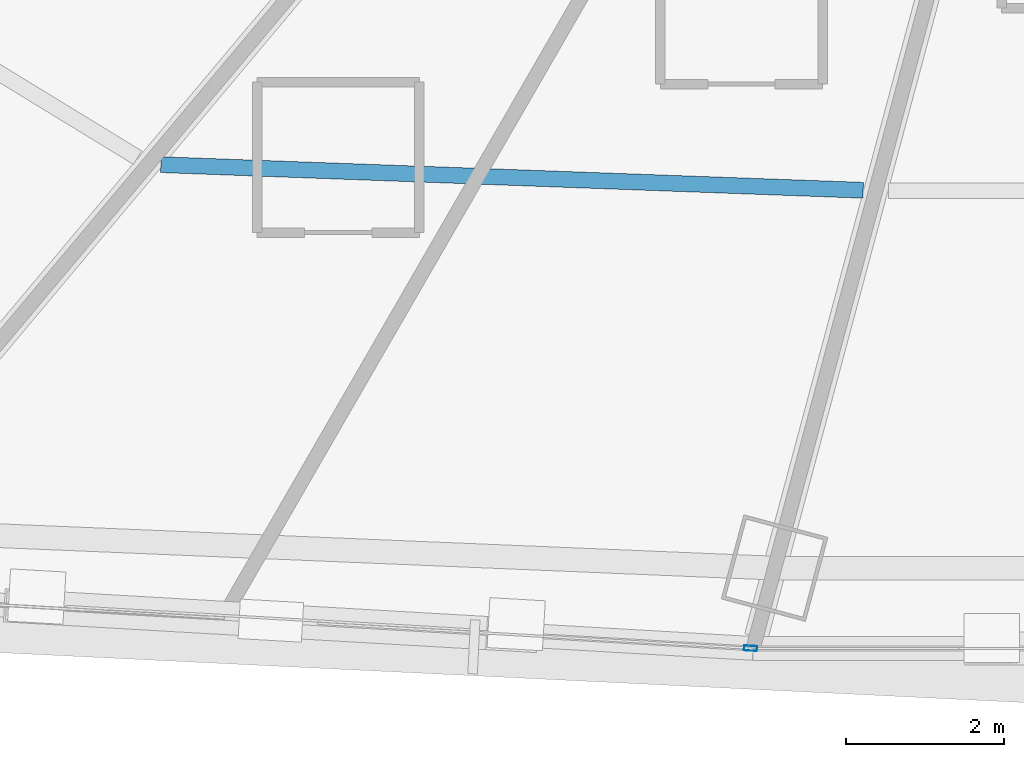
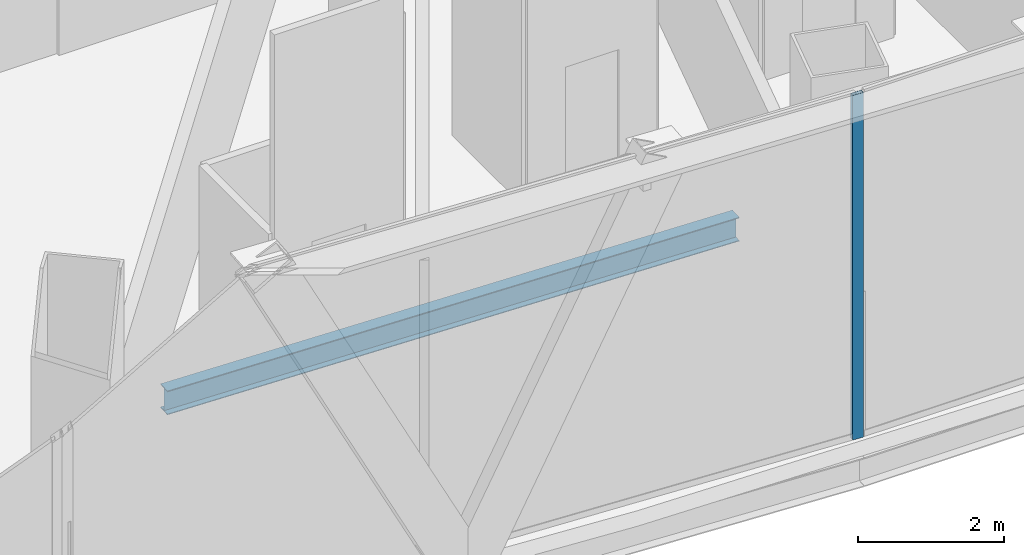
# One storey, part 8 of 41: 1 beam, 1 member, 1 element without a shape of its own.
"""IFC4 building model written with IfcOpenShell, lengths in metres."""

from ifc_helpers import new_model, si_unit, direction, frame, origin, origin_2d, place, context, subcontext, project, spatial, hollow_rectangle, i_section, extrude, source, transform, mapped, material, layer, layer_set, material_profile, profile_set, type_object, element, aggregate, save


model = new_model("IFC4")

# Units and contexts
model_context = context("Model", 3, precision=1e-05, world=origin(), true_north=direction((0.0, 1.0)))
body_context = subcontext(model_context, "Body", "Model", "MODEL_VIEW")
ifc_project = project(units=[si_unit("LENGTHUNIT", "METRE"), si_unit("AREAUNIT", "SQUARE_METRE"), si_unit("VOLUMEUNIT", "CUBIC_METRE"), si_unit("PLANEANGLEUNIT", "RADIAN"), si_unit("MASSUNIT", "GRAM", prefix="KILO"), si_unit("THERMODYNAMICTEMPERATUREUNIT", "KELVIN"), si_unit("POWERUNIT", "WATT")], contexts=[model_context])

# Site, building, storey
site_placement = place(None, origin())
site = spatial("IfcSite", under=ifc_project, at=site_placement, CompositionType="ELEMENT")
building_placement = place(site_placement, origin())
building = spatial("IfcBuilding", under=site, at=building_placement, Name="Yunzhuo Pagoda Commons", CompositionType="ELEMENT")
storey_placement = place(building_placement, frame((0.0, 0.0, 70.330078125)))
storey = spatial("IfcBuildingStorey", under=building, at=storey_placement, Name="L18", CompositionType="ELEMENT", Elevation=70.330078125)

# Beam
ifc_material_1 = material(Name="Structural steel Q355B", Category="steel")
ifc_material_profile_1 = material_profile(ifc_material_1, i_section(OverallWidth=0.199951171875, OverallDepth=0.39990234375, WebThickness=0.008056640625, FlangeThickness=0.012939453125, at=origin_2d()), Name="Structural steel Q355B")
ifc_profile_set_1 = profile_set([ifc_material_profile_1], Name="Structural steel Q355B")
beam_type = type_object("IfcBeamType", Name="B-JS1 Joist HN 400x200x8x13", PredefinedType="JOIST", material=ifc_profile_set_1)
shared_shape_1 = source(origin(), body_context, "Body", "SweptSolid", [
    extrude(i_section(OverallWidth=0.199951171875, OverallDepth=0.39990234375, WebThickness=0.008056640625, FlangeThickness=0.012939453125, at=origin_2d()), origin(), (0.0, 0.0, 1.0), 8.876953125),
])
beam_placement = place(storey_placement, frame((34.527099609375, 17.448486328125, -0.4599609375), z_axis=(0.999335806416, -0.036440993601, 0.0), x_axis=(0.036440993601, 0.999335806416, 0.0)))
element("IfcBeam", 1, at=beam_placement, inside=storey, type_object=beam_type, Name="L18 composite ring joist 2.1", PredefinedType="JOIST", context=body_context, shape_type="MappedRepresentation", body=[
    mapped(shared_shape_1, transform((0.0, 0.0, 0.0), scale=1.0)),
])

# Curtain wall, member
ifc_material_2 = material(Name="Anodized aluminium 6063-T6", Category="aluminium")
ifc_layer = layer(ifc_material_2, 0.1650390625)
ifc_layer_set = layer_set([ifc_layer], Name="Anodized aluminium 6063-T6")
curtain_wall_type = type_object("IfcCurtainWallType", Name="CW-LOW Low-Zone Ribbon Curtain Wall", PredefinedType="NOTDEFINED", material=ifc_layer_set)
curtain_wall_placement = place(storey_placement, origin())
curtain_wall = element("IfcCurtainWall", 2, at=curtain_wall_placement, inside=storey, type_object=curtain_wall_type, Name="L18 curtain wall CW-L18-F1B2", PredefinedType="NOTDEFINED")
ifc_material_profile_2 = material_profile(ifc_material_2, hollow_rectangle(XDim=0.06494140625, YDim=0.1650390625, WallThickness=0.00390625, at=origin_2d()), Name="Anodized aluminium 6063-T6")
ifc_profile_set_2 = profile_set([ifc_material_profile_2], Name="Anodized aluminium 6063-T6")
member_type = type_object("IfcMemberType", Name="CW-LOW-M Mullion RHS 165x65x4", PredefinedType="MULLION", material=ifc_profile_set_2)
shared_shape_2 = source(origin(), body_context, "Body", "SweptSolid", [
    extrude(hollow_rectangle(XDim=0.06494140625, YDim=0.1650390625, WallThickness=0.00390625, at=origin_2d()), origin(), (0.0, 0.0, 1.0), 5.77001953125),
])
member_placement = place(storey_placement, frame((41.9755859375, 11.339599609375, 0.0), z_axis=(0.0, 0.0, 1.0), x_axis=(0.057542190557, 0.998343075454, 0.0)))
member = element("IfcMember", 3, at=member_placement, type_object=member_type, Name="CW mullion 2", PredefinedType="MULLION", context=body_context, shape_type="MappedRepresentation", body=[
    mapped(shared_shape_2, transform((0.0, 0.0, 0.0), scale=1.0)),
])
aggregate(curtain_wall, [member])

save(model, "model.ifc")
